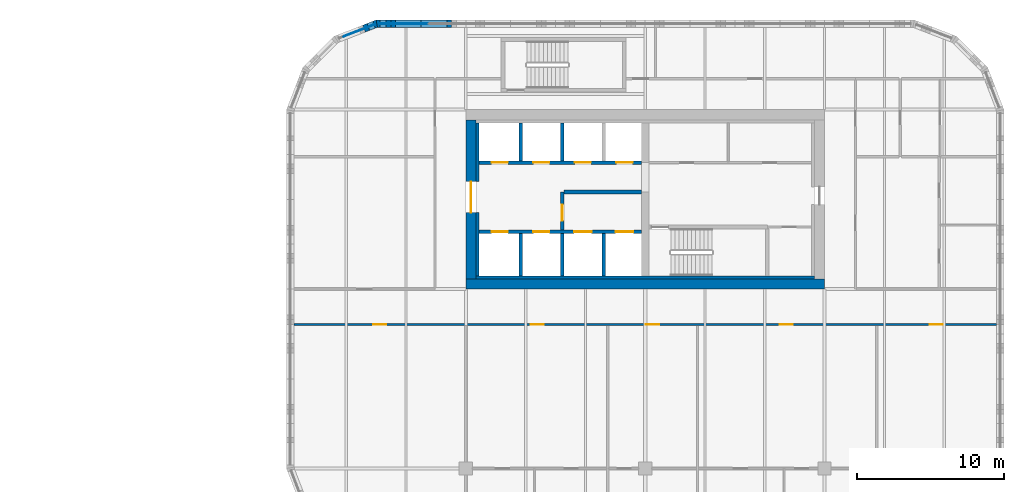
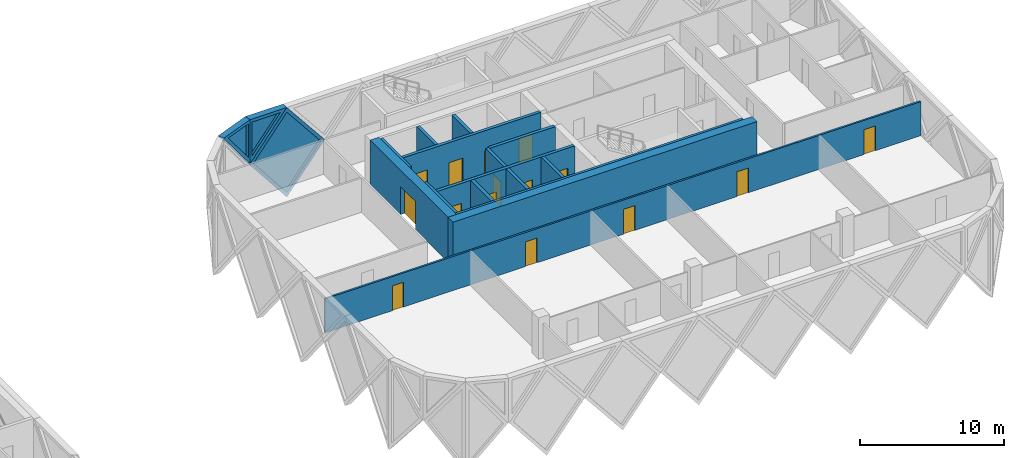
# One storey, part 17 of 24: 18 walls, 15 doors, 3 plates, 18 openings.
"""IFC4 building model written with IfcOpenShell, lengths in metres."""

from ifc_helpers import new_model, si_unit, direction, frame, frame_2d, origin, place, context, subcontext, project, spatial, polyline, rectangle, outline, extrude, faceted_brep, source, transform, mapped, material, layer, layer_set, type_object, element, fill, save


model = new_model("IFC4")

# Units and contexts
model_context = context("Model", 3, precision=1e-05, world=origin(), true_north=direction((0.0, 1.0)))
body_context = subcontext(model_context, "Body", "Model", "MODEL_VIEW")
ifc_project = project(units=[si_unit("LENGTHUNIT", "METRE"), si_unit("AREAUNIT", "SQUARE_METRE"), si_unit("VOLUMEUNIT", "CUBIC_METRE"), si_unit("PLANEANGLEUNIT", "RADIAN"), si_unit("MASSUNIT", "GRAM", prefix="KILO")], contexts=[model_context])

# Site, building, storey
site_placement = place(None, origin())
site = spatial("IfcSite", under=ifc_project, at=site_placement, CompositionType="ELEMENT")
building_placement = place(site_placement, origin())
building = spatial("IfcBuilding", under=site, at=building_placement, Name="Tessera Gate Towers", CompositionType="ELEMENT")
storey_placement = place(building_placement, frame((0.0, 0.0, 60.0)))
storey = spatial("IfcBuildingStorey", under=building, at=storey_placement, Name="L14", CompositionType="ELEMENT", Elevation=60.0)

# Wall, openings, doors
ifc_material_1 = material(Name="Concrete C40/50", Category="concrete")
ifc_layer_1 = layer(ifc_material_1, 0.25)
ifc_layer_set_1 = layer_set([ifc_layer_1], Name="CORE ENCLOSURE WALL 250")
wall_type_1 = type_object("IfcWallType", Name="CORE ENCLOSURE WALL 250", PredefinedType="SOLIDWALL", material=ifc_layer_set_1)
wall_1_placement = place(storey_placement, frame((98.5, 40.5, 0.0), z_axis=(0.0, 0.0, 1.0), x_axis=(1.0, 0.0, 0.0)))
wall_1 = element("IfcWall", 1, at=wall_1_placement, inside=storey, type_object=wall_type_1, Name="L14 shaft and stair enclosure wall", PredefinedType="SOLIDWALL", context=body_context, shape_type="SweptSolid", body=[
    extrude(rectangle(XDim=11.050048828125, YDim=0.25, at=frame_2d((5.52490234375, 0.0))), origin(), (0.0, 0.0, 1.0), 3.800048828125),
])
shared_shape_1 = source(origin(), body_context, "Body", "SweptSolid", [
    extrude(rectangle(XDim=1.10009765625, YDim=2.10009765625, at=frame_2d((0.550048828125, 1.050048828125))), frame((0.0, 0.135009765625, 0.0), z_axis=(0.0, -1.0, 0.0), x_axis=(1.0, 0.0, 0.0)), (0.0, 0.0, 1.0), 0.27001953125),
])
opening_1_placement = place(wall_1_placement, frame((0.862548828125, 0.0, 0.0)))
opening_1 = element("IfcOpeningElement", 2, at=opening_1_placement, cuts=wall_1, Name="Opening LD-TL1", PredefinedType="OPENING", context=body_context, shape_type="MappedRepresentation", body=[
    mapped(shared_shape_1, transform((0.0, 0.0, 0.0), scale=1.0)),
])
opening_2_placement = place(wall_1_placement, frame((3.6875, 0.0, 0.0)))
opening_2 = element("IfcOpeningElement", 3, at=opening_2_placement, cuts=wall_1, Name="Opening LD-TL2", PredefinedType="OPENING", context=body_context, shape_type="MappedRepresentation", body=[
    mapped(shared_shape_1, transform((0.0, 0.0, 0.0), scale=1.0)),
])
shared_shape_2 = source(origin(), body_context, "Body", "SweptSolid", [
    extrude(rectangle(XDim=1.199951171875, YDim=2.10009765625, at=frame_2d((0.60009765625, 1.050048828125))), frame((0.0, 0.135009765625, 0.0), z_axis=(0.0, -1.0, 0.0), x_axis=(1.0, 0.0, 0.0)), (0.0, 0.0, 1.0), 0.27001953125),
])
opening_3_placement = place(wall_1_placement, frame((6.46240234375, 0.0, 0.0)))
opening_3 = element("IfcOpeningElement", 4, at=opening_3_placement, cuts=wall_1, Name="Opening LD-FF3", PredefinedType="OPENING", context=body_context, shape_type="MappedRepresentation", body=[
    mapped(shared_shape_2, transform((0.0, 0.0, 0.0), scale=1.0)),
])
opening_4_placement = place(wall_1_placement, frame((9.28759765625, 0.0, 0.0)))
opening_4 = element("IfcOpeningElement", 5, at=opening_4_placement, cuts=wall_1, Name="Opening LD-FF4", PredefinedType="OPENING", context=body_context, shape_type="MappedRepresentation", body=[
    mapped(shared_shape_2, transform((0.0, 0.0, 0.0), scale=1.0)),
])
ifc_material_2 = material(Name="Stainless steel", Category="steel")
door_type_1 = type_object("IfcDoorType", Name="CORE DOOR LD1200 1200x2100", OperationType="DOUBLE_DOOR_SLIDING", PredefinedType="DOOR", material=ifc_material_2)
shared_shape_3 = source(origin(), body_context, "Body", "SweptSolid", [
    extrude(rectangle(XDim=1.199951171875, YDim=2.10009765625, at=frame_2d((0.60009765625, 1.050048828125))), frame((0.0, 0.02490234375, 0.0), z_axis=(0.0, -1.0, 0.0), x_axis=(1.0, 0.0, 0.0)), (0.0, 0.0, 1.0), 0.050048828125),
])
door_1_placement = place(opening_3_placement, origin())
door_1 = element("IfcDoor", 6, at=door_1_placement, inside=storey, type_object=door_type_1, Name="Landing door FF3 L14", OperationType="DOUBLE_DOOR_SLIDING", OverallHeight=2.10009765625, OverallWidth=1.199951171875, PredefinedType="DOOR", context=body_context, shape_type="MappedRepresentation", body=[
    mapped(shared_shape_3, transform((0.0, 0.0, 0.0), scale=1.0)),
])
fill(opening_3, door_1)
door_2_placement = place(opening_4_placement, origin())
door_2 = element("IfcDoor", 7, at=door_2_placement, inside=storey, type_object=door_type_1, Name="Landing door FF4 L14", OperationType="DOUBLE_DOOR_SLIDING", OverallHeight=2.10009765625, OverallWidth=1.199951171875, PredefinedType="DOOR", context=body_context, shape_type="MappedRepresentation", body=[
    mapped(shared_shape_3, transform((0.0, 0.0, 0.0), scale=1.0)),
])
fill(opening_4, door_2)
ifc_material_3 = material(Name="Stainless steel", Category="steel")
door_type_2 = type_object("IfcDoorType", Name="CORE DOOR LD 1100x2100", OperationType="DOUBLE_DOOR_SLIDING", PredefinedType="DOOR", material=ifc_material_3)
shared_shape_4 = source(origin(), body_context, "Body", "SweptSolid", [
    extrude(rectangle(XDim=1.10009765625, YDim=2.10009765625, at=frame_2d((0.550048828125, 1.050048828125))), frame((0.0, 0.02490234375, 0.0), z_axis=(0.0, -1.0, 0.0), x_axis=(1.0, 0.0, 0.0)), (0.0, 0.0, 1.0), 0.050048828125),
])
door_3_placement = place(opening_1_placement, origin())
door_3 = element("IfcDoor", 8, at=door_3_placement, inside=storey, type_object=door_type_2, Name="Landing door TL1 L14", OperationType="DOUBLE_DOOR_SLIDING", OverallHeight=2.10009765625, OverallWidth=1.10009765625, PredefinedType="DOOR", context=body_context, shape_type="MappedRepresentation", body=[
    mapped(shared_shape_4, transform((0.0, 0.0, 0.0), scale=1.0)),
])
fill(opening_1, door_3)
door_4_placement = place(opening_2_placement, origin())
door_4 = element("IfcDoor", 9, at=door_4_placement, inside=storey, type_object=door_type_2, Name="Landing door TL2 L14", OperationType="DOUBLE_DOOR_SLIDING", OverallHeight=2.10009765625, OverallWidth=1.10009765625, PredefinedType="DOOR", context=body_context, shape_type="MappedRepresentation", body=[
    mapped(shared_shape_4, transform((0.0, 0.0, 0.0), scale=1.0)),
])
fill(opening_2, door_4)

wall_2_placement = place(storey_placement, frame((109.550048828125, 45.199951171875, 0.0), z_axis=(0.0, 0.0, 1.0), x_axis=(-1.0, 0.0, 0.0)))
wall_2 = element("IfcWall", 10, at=wall_2_placement, inside=storey, type_object=wall_type_1, Name="L14 shaft and stair enclosure wall", PredefinedType="SOLIDWALL", context=body_context, shape_type="SweptSolid", body=[
    extrude(rectangle(XDim=11.050048828125, YDim=0.25, at=frame_2d((5.52490234375, 0.0))), origin(), (0.0, 0.0, 1.0), 3.800048828125),
])
opening_5_placement = place(wall_2_placement, frame((9.08740234375, 0.0, 0.0)))
opening_5 = element("IfcOpeningElement", 11, at=opening_5_placement, cuts=wall_2, Name="Opening LD-TL3", PredefinedType="OPENING", context=body_context, shape_type="MappedRepresentation", body=[
    mapped(shared_shape_1, transform((0.0, 0.0, 0.0), scale=1.0)),
])
opening_6_placement = place(wall_2_placement, frame((6.262451171875, 0.0, 0.0)))
opening_6 = element("IfcOpeningElement", 12, at=opening_6_placement, cuts=wall_2, Name="Opening LD-TL4", PredefinedType="OPENING", context=body_context, shape_type="MappedRepresentation", body=[
    mapped(shared_shape_1, transform((0.0, 0.0, 0.0), scale=1.0)),
])
opening_7_placement = place(wall_2_placement, frame((3.4375, 0.0, 0.0)))
opening_7 = element("IfcOpeningElement", 13, at=opening_7_placement, cuts=wall_2, Name="Opening LD-TL5", PredefinedType="OPENING", context=body_context, shape_type="MappedRepresentation", body=[
    mapped(shared_shape_1, transform((0.0, 0.0, 0.0), scale=1.0)),
])
opening_8_placement = place(wall_2_placement, frame((0.612548828125, 0.0, 0.0)))
opening_8 = element("IfcOpeningElement", 14, at=opening_8_placement, cuts=wall_2, Name="Opening LD-TL6", PredefinedType="OPENING", context=body_context, shape_type="MappedRepresentation", body=[
    mapped(shared_shape_1, transform((0.0, 0.0, 0.0), scale=1.0)),
])
door_5_placement = place(opening_5_placement, origin())
door_5 = element("IfcDoor", 15, at=door_5_placement, inside=storey, type_object=door_type_2, Name="Landing door TL3 L14", OperationType="DOUBLE_DOOR_SLIDING", OverallHeight=2.10009765625, OverallWidth=1.10009765625, PredefinedType="DOOR", context=body_context, shape_type="MappedRepresentation", body=[
    mapped(shared_shape_4, transform((0.0, 0.0, 0.0), scale=1.0)),
])
fill(opening_5, door_5)
door_6_placement = place(opening_6_placement, origin())
door_6 = element("IfcDoor", 16, at=door_6_placement, inside=storey, type_object=door_type_2, Name="Landing door TL4 L14", OperationType="DOUBLE_DOOR_SLIDING", OverallHeight=2.10009765625, OverallWidth=1.10009765625, PredefinedType="DOOR", context=body_context, shape_type="MappedRepresentation", body=[
    mapped(shared_shape_4, transform((0.0, 0.0, 0.0), scale=1.0)),
])
fill(opening_6, door_6)
door_7_placement = place(opening_7_placement, origin())
door_7 = element("IfcDoor", 17, at=door_7_placement, inside=storey, type_object=door_type_2, Name="Landing door TL5 L14", OperationType="DOUBLE_DOOR_SLIDING", OverallHeight=2.10009765625, OverallWidth=1.10009765625, PredefinedType="DOOR", context=body_context, shape_type="MappedRepresentation", body=[
    mapped(shared_shape_4, transform((0.0, 0.0, 0.0), scale=1.0)),
])
fill(opening_7, door_7)
door_8_placement = place(opening_8_placement, origin())
door_8 = element("IfcDoor", 18, at=door_8_placement, inside=storey, type_object=door_type_2, Name="Landing door TL6 L14", OperationType="DOUBLE_DOOR_SLIDING", OverallHeight=2.10009765625, OverallWidth=1.10009765625, PredefinedType="DOOR", context=body_context, shape_type="MappedRepresentation", body=[
    mapped(shared_shape_4, transform((0.0, 0.0, 0.0), scale=1.0)),
])
fill(opening_8, door_8)

# Wall
wall_3_placement = place(storey_placement, frame((104.14990234375, 37.5, 0.0), z_axis=(0.0, 0.0, 1.0), x_axis=(0.0, 1.0, 0.0)))
element("IfcWall", 19, at=wall_3_placement, inside=storey, type_object=wall_type_1, Name="L14 shaft and stair enclosure wall", PredefinedType="SOLIDWALL", context=body_context, shape_type="SweptSolid", body=[
    extrude(rectangle(XDim=2.875, YDim=0.25, at=frame_2d((1.4375, 0.0))), origin(), (0.0, 0.0, 1.0), 3.800048828125),
])

# Wall, opening, door
wall_4_placement = place(storey_placement, frame((104.14990234375, 43.199951171875, 0.0), z_axis=(0.0, 0.0, 1.0), x_axis=(0.0, -1.0, 0.0)))
wall_4 = element("IfcWall", 20, at=wall_4_placement, inside=storey, type_object=wall_type_1, Name="L14 shaft and stair enclosure wall", PredefinedType="SOLIDWALL", context=body_context, shape_type="SweptSolid", body=[
    extrude(rectangle(XDim=2.574951171875, YDim=0.25, at=frame_2d((1.28759765625, 0.0))), origin(), (0.0, 0.0, 1.0), 3.800048828125),
])
opening_9_placement = place(wall_4_placement, frame((0.85009765625, 0.0, 0.0)))
opening_9 = element("IfcOpeningElement", 21, at=opening_9_placement, cuts=wall_4, Name="Opening FD-T2-04-03", PredefinedType="OPENING", context=body_context, shape_type="MappedRepresentation", body=[
    mapped(shared_shape_1, transform((0.0, 0.0, 0.0), scale=1.0)),
])
ifc_material_4 = material(Name="Hollow steel fire door", Category="steel")
door_type_3 = type_object("IfcDoorType", Name="CORE DOOR FD 1100x2100", OperationType="NOTDEFINED", PredefinedType="DOOR", material=ifc_material_4)
door_9_placement = place(opening_9_placement, origin())
door_9 = element("IfcDoor", 22, at=door_9_placement, inside=storey, type_object=door_type_3, Name="Fire-fighting lobby door", OperationType="SINGLE_SWING_RIGHT", OverallHeight=2.10009765625, OverallWidth=1.10009765625, PredefinedType="DOOR", context=body_context, shape_type="MappedRepresentation", body=[
    mapped(shared_shape_4, transform((0.0, 0.0, 0.0), scale=1.0)),
])
fill(opening_9, door_9)

# Walls
wall_5_placement = place(storey_placement, frame((104.27490234375, 43.199951171875, 0.0), z_axis=(0.0, 0.0, 1.0), x_axis=(1.0, 0.0, 0.0)))
element("IfcWall", 23, at=wall_5_placement, inside=storey, type_object=wall_type_1, Name="L14 shaft and stair enclosure wall", PredefinedType="SOLIDWALL", context=body_context, shape_type="SweptSolid", body=[
    extrude(rectangle(XDim=5.275146484375, YDim=0.25, at=frame_2d((2.6376953125, 0.0))), origin(), (0.0, 0.0, 1.0), 3.800048828125),
])
for number, where, z_axis, x_axis, name in (
    (24, (101.324951171875, 37.5, 0.0), (0.0, 0.0, 1.0), (0.0, 1.0, 0.0), "L14 shaft and stair enclosure wall"),
    (25, (106.97509765625, 37.5, 0.0), (0.0, 0.0, 1.0), (0.0, 1.0, 0.0), "L14 shaft and stair enclosure wall"),
):
    element("IfcWall", number, at=place(storey_placement, frame(where, z_axis=z_axis, x_axis=x_axis)), inside=storey, type_object=wall_type_1, Name=name, PredefinedType="SOLIDWALL", context=body_context, shape_type="SweptSolid", body=[
        extrude(rectangle(XDim=2.875, YDim=0.25, at=frame_2d((1.4375, 0.0))), origin(), (0.0, 0.0, 1.0), 3.800048828125),
    ])
for number, where, z_axis, x_axis, name in (
    (26, (101.324951171875, 45.324951171875, 0.0), (0.0, 0.0, 1.0), (0.0, 1.0, 0.0), "L14 shaft and stair enclosure wall"),
    (27, (104.14990234375, 45.324951171875, 0.0), (0.0, 0.0, 1.0), (0.0, 1.0, 0.0), "L14 shaft and stair enclosure wall"),
):
    element("IfcWall", number, at=place(storey_placement, frame(where, z_axis=z_axis, x_axis=x_axis)), inside=storey, type_object=wall_type_1, Name=name, PredefinedType="SOLIDWALL", context=body_context, shape_type="SweptSolid", body=[
        extrude(rectangle(XDim=2.574951171875, YDim=0.25, at=frame_2d((1.28759765625, 0.0))), origin(), (0.0, 0.0, 1.0), 3.800048828125),
    ])
ifc_material_5 = material(Name="Concrete C60/75", Category="concrete")
ifc_layer_2 = layer(ifc_material_5, 0.699951171875)
ifc_layer_set_2 = layer_set([ifc_layer_2], Name="CORE SHEAR WALL 700 C60/75")
wall_type_2 = type_object("IfcWallType", Name="CORE SHEAR WALL 700 C60/75", PredefinedType="SHEAR", material=ifc_layer_set_2)
wall_6_placement = place(storey_placement, frame((122.0, 36.949951171875, 0.0), z_axis=(0.0, 0.0, 1.0), x_axis=(-1.0, 0.0, 0.0)))
element("IfcWall", 28, at=wall_6_placement, inside=storey, type_object=wall_type_2, Name="Core wall S L14", PredefinedType="SHEAR", context=body_context, shape_type="SweptSolid", body=[
    extrude(rectangle(XDim=24.39990234375, YDim=0.699951171875, at=frame_2d((12.199951171875, 0.0))), origin(), (0.0, 0.0, 1.0), 3.800048828125),
])

# Wall, opening, door
wall_7_placement = place(storey_placement, frame((97.949951171875, 37.300048828125, 0.0), z_axis=(0.0, 0.0, 1.0), x_axis=(0.0, 1.0, 0.0)))
wall_7 = element("IfcWall", 29, at=wall_7_placement, inside=storey, type_object=wall_type_2, Name="Core wall W L14", PredefinedType="SHEAR", context=body_context, shape_type="SweptSolid", body=[
    extrude(rectangle(XDim=10.800048828125, YDim=0.699951171875, at=frame_2d((5.39990234375, 0.0))), origin(), (0.0, 0.0, 1.0), 3.800048828125),
])
shared_shape_5 = source(origin(), body_context, "Body", "SweptSolid", [
    extrude(rectangle(XDim=2.10009765625, YDim=2.39990234375, at=frame_2d((1.050048828125, 1.199951171875))), frame((0.0, 0.35986328125, 0.0), z_axis=(0.0, -1.0, 0.0), x_axis=(1.0, 0.0, 0.0)), (0.0, 0.0, 1.0), 0.719970703125),
])
opening_10_placement = place(wall_7_placement, frame((4.5, 0.0, 0.0)))
opening_10 = element("IfcOpeningElement", 30, at=opening_10_placement, cuts=wall_7, Name="Opening DD-T2-04-01", PredefinedType="OPENING", context=body_context, shape_type="MappedRepresentation", body=[
    mapped(shared_shape_5, transform((0.0, 0.0, 0.0), scale=1.0)),
])
ifc_material_6 = material(Name="Hollow steel fire door", Category="steel")
door_type_4 = type_object("IfcDoorType", Name="CORE DOOR DD 2100x2400", OperationType="NOTDEFINED", PredefinedType="DOOR", material=ifc_material_6)
shared_shape_6 = source(origin(), body_context, "Body", "SweptSolid", [
    extrude(rectangle(XDim=2.10009765625, YDim=2.39990234375, at=frame_2d((1.050048828125, 1.199951171875))), frame((0.0, 0.02490234375, 0.0), z_axis=(0.0, -1.0, 0.0), x_axis=(1.0, 0.0, 0.0)), (0.0, 0.0, 1.0), 0.050048828125),
])
door_10_placement = place(opening_10_placement, origin())
door_10 = element("IfcDoor", 31, at=door_10_placement, inside=storey, type_object=door_type_4, Name="Core entrance door", OperationType="DOUBLE_DOOR_SINGLE_SWING", OverallHeight=2.39990234375, OverallWidth=2.10009765625, PredefinedType="DOOR", context=body_context, shape_type="MappedRepresentation", body=[
    mapped(shared_shape_6, transform((0.0, 0.0, 0.0), scale=1.0)),
])
fill(opening_10, door_10)

# Walls
ifc_material_7 = material(Name="Concrete C60/75", Category="concrete")
ifc_layer_3 = layer(ifc_material_7, 0.199951171875)
ifc_layer_set_3 = layer_set([ifc_layer_3], Name="CORE WALL THICKENING 200")
wall_type_3 = type_object("IfcWallType", Name="CORE WALL THICKENING 200", PredefinedType="SOLIDWALL", material=ifc_layer_set_3)
wall_8_placement = place(storey_placement, frame((98.300048828125, 37.39990234375, 0.0), z_axis=(0.0, 0.0, 1.0), x_axis=(1.0, 0.0, 0.0)))
element("IfcWall", 32, at=wall_8_placement, inside=storey, type_object=wall_type_3, Name="Core wall thickening S L14", PredefinedType="SOLIDWALL", context=body_context, shape_type="SweptSolid", body=[
    extrude(rectangle(XDim=23.0, YDim=0.199951171875, at=frame_2d((11.5, 0.0))), origin(), (0.0, 0.0, 1.0), 3.800048828125),
])
wall_9_placement = place(storey_placement, frame((98.39990234375, 37.5, 0.0), z_axis=(0.0, 0.0, 1.0), x_axis=(0.0, 1.0, 0.0)))
element("IfcWall", 33, at=wall_9_placement, inside=storey, type_object=wall_type_3, Name="Core wall thickening W L14", PredefinedType="SOLIDWALL", context=body_context, shape_type="SweptSolid", body=[
    extrude(rectangle(XDim=4.300048828125, YDim=0.199951171875, at=frame_2d((2.14990234375, 0.0))), origin(), (0.0, 0.0, 1.0), 3.800048828125),
])
wall_10_placement = place(storey_placement, frame((98.39990234375, 43.89990234375, 0.0), z_axis=(0.0, 0.0, 1.0), x_axis=(0.0, 1.0, 0.0)))
element("IfcWall", 34, at=wall_10_placement, inside=storey, type_object=wall_type_3, Name="Core wall thickening W L14", PredefinedType="SOLIDWALL", context=body_context, shape_type="SweptSolid", body=[
    extrude(rectangle(XDim=4.0, YDim=0.199951171875, at=frame_2d((2.0, 0.0))), origin(), (0.0, 0.0, 1.0), 3.800048828125),
])

# Wall, openings, doors
ifc_material_8 = material(Name="Gypsum board on steel studs, mineral wool", Category="steel")
ifc_layer_4 = layer(ifc_material_8, 0.14990234375)
ifc_layer_set_4 = layer_set([ifc_layer_4], Name="CORRIDOR WALL 150")
wall_type_4 = type_object("IfcWallType", Name="CORRIDOR WALL 150", PredefinedType="PARTITIONING", material=ifc_layer_set_4)
wall_11_placement = place(storey_placement, frame((133.699951171875, 34.199951171875, 0.0), z_axis=(0.0, 0.0, 1.0), x_axis=(-1.0, 0.0, 0.0)))
wall_11 = element("IfcWall", 35, at=wall_11_placement, inside=storey, type_object=wall_type_4, Name="T2-L14-PW-017", PredefinedType="PARTITIONING", context=body_context, shape_type="SweptSolid", body=[
    extrude(rectangle(XDim=47.800048828125, YDim=0.14990234375, at=frame_2d((23.89990234375, 0.0))), origin(), (0.0, 0.0, 1.0), 2.887939453125),
])
shared_shape_7 = source(origin(), body_context, "Body", "SweptSolid", [
    extrude(rectangle(XDim=0.89990234375, YDim=2.10009765625, at=frame_2d((0.449951171875, 1.050048828125))), frame((0.0, 0.0849609375, 0.0), z_axis=(0.0, -1.0, 0.0), x_axis=(1.0, 0.0, 0.0)), (0.0, 0.0, 1.0), 0.169921875),
])
opening_11_placement = place(wall_11_placement, frame((22.948974609375, 0.0, 0.0)))
opening_11 = element("IfcOpeningElement", 36, at=opening_11_placement, cuts=wall_11, Name="Opening D890FD60-B06-01", PredefinedType="OPENING", context=body_context, shape_type="MappedRepresentation", body=[
    mapped(shared_shape_7, transform((0.0, 0.0, 0.0), scale=1.0)),
])
opening_12_placement = place(wall_11_placement, frame((3.64892578125, 0.0, 0.0)))
opening_12 = element("IfcOpeningElement", 37, at=opening_12_placement, cuts=wall_11, Name="Opening D890FD60-B06-02", PredefinedType="OPENING", context=body_context, shape_type="MappedRepresentation", body=[
    mapped(shared_shape_7, transform((0.0, 0.0, 0.0), scale=1.0)),
])
opening_13_placement = place(wall_11_placement, frame((30.799072265625, 0.0, 0.0)))
opening_13 = element("IfcOpeningElement", 38, at=opening_13_placement, cuts=wall_11, Name="Opening D890FD60-B06-03", PredefinedType="OPENING", context=body_context, shape_type="MappedRepresentation", body=[
    mapped(shared_shape_7, transform((0.0, 0.0, 0.0), scale=1.0)),
])
opening_14_placement = place(wall_11_placement, frame((41.5, 0.0, 0.0)))
opening_14 = element("IfcOpeningElement", 39, at=opening_14_placement, cuts=wall_11, Name="Opening D890FD60-B06-04", PredefinedType="OPENING", context=body_context, shape_type="MappedRepresentation", body=[
    mapped(shared_shape_7, transform((0.0, 0.0, 0.0), scale=1.0)),
])
opening_15_placement = place(wall_11_placement, frame((13.85009765625, 0.0, 0.0)))
opening_15 = element("IfcOpeningElement", 40, at=opening_15_placement, cuts=wall_11, Name="Opening D890FD60-B06-05", PredefinedType="OPENING", context=body_context, shape_type="MappedRepresentation", body=[
    mapped(shared_shape_7, transform((0.0, 0.0, 0.0), scale=1.0)),
])
ifc_material_9 = material(Name="Timber door leaf in steel frame", Category="steel")
door_type_5 = type_object("IfcDoorType", Name="CORRIDOR DOOR 900 FD60", OperationType="NOTDEFINED", PredefinedType="DOOR", material=ifc_material_9)
shared_shape_8 = source(origin(), body_context, "Body", "SweptSolid", [
    extrude(rectangle(XDim=0.89990234375, YDim=2.10009765625, at=frame_2d((0.449951171875, 1.050048828125))), frame((0.0, 0.02490234375, 0.0), z_axis=(0.0, -1.0, 0.0), x_axis=(1.0, 0.0, 0.0)), (0.0, 0.0, 1.0), 0.050048828125),
])
door_11_placement = place(opening_11_placement, origin())
door_11 = element("IfcDoor", 41, at=door_11_placement, inside=storey, type_object=door_type_5, Name="T2-L14-PD-012", OperationType="SINGLE_SWING_RIGHT", OverallHeight=2.10009765625, OverallWidth=0.89990234375, PredefinedType="DOOR", context=body_context, shape_type="MappedRepresentation", body=[
    mapped(shared_shape_8, transform((0.0, 0.0, 0.0), scale=1.0)),
])
fill(opening_11, door_11)
door_12_placement = place(opening_12_placement, origin())
door_12 = element("IfcDoor", 42, at=door_12_placement, inside=storey, type_object=door_type_5, Name="T2-L14-PD-015", OperationType="SINGLE_SWING_RIGHT", OverallHeight=2.10009765625, OverallWidth=0.89990234375, PredefinedType="DOOR", context=body_context, shape_type="MappedRepresentation", body=[
    mapped(shared_shape_8, transform((0.0, 0.0, 0.0), scale=1.0)),
])
fill(opening_12, door_12)
door_13_placement = place(opening_13_placement, origin())
door_13 = element("IfcDoor", 43, at=door_13_placement, inside=storey, type_object=door_type_5, Name="T2-L14-PD-016", OperationType="SINGLE_SWING_RIGHT", OverallHeight=2.10009765625, OverallWidth=0.89990234375, PredefinedType="DOOR", context=body_context, shape_type="MappedRepresentation", body=[
    mapped(shared_shape_8, transform((0.0, 0.0, 0.0), scale=1.0)),
])
fill(opening_13, door_13)
door_14_placement = place(opening_14_placement, origin())
door_14 = element("IfcDoor", 44, at=door_14_placement, inside=storey, type_object=door_type_5, Name="T2-L14-PD-017", OperationType="SINGLE_SWING_RIGHT", OverallHeight=2.10009765625, OverallWidth=0.89990234375, PredefinedType="DOOR", context=body_context, shape_type="MappedRepresentation", body=[
    mapped(shared_shape_8, transform((0.0, 0.0, 0.0), scale=1.0)),
])
fill(opening_14, door_14)
door_15_placement = place(opening_15_placement, origin())
door_15 = element("IfcDoor", 45, at=door_15_placement, inside=storey, type_object=door_type_5, Name="T2-L14-PD-018", OperationType="SINGLE_SWING_RIGHT", OverallHeight=2.10009765625, OverallWidth=0.89990234375, PredefinedType="DOOR", context=body_context, shape_type="MappedRepresentation", body=[
    mapped(shared_shape_8, transform((0.0, 0.0, 0.0), scale=1.0)),
])
fill(opening_15, door_15)

# Wall, opening, plate
ifc_material_10 = material(Name="Precast concrete C60/75 white", Category="concrete")
ifc_layer_5 = layer(ifc_material_10, 0.5)
ifc_layer_set_5 = layer_set([ifc_layer_5], Name="TS1 tessera")
wall_type_5 = type_object("IfcWallType", Name="TS1 tessera", PredefinedType="SOLIDWALL", material=ifc_layer_set_5)
shared_shape_9 = source(origin(), body_context, "Body", "Brep", [
    faceted_brep([(3.050048828125, -0.25, 0.0), (6.053466796875, -0.25, 3.800048828125), (3.050048828125, -0.25, 7.60009765625), (0.0, -0.25, 3.800048828125), (0.0, 0.25, 3.800048828125), (3.050048828125, 0.25, 7.60009765625), (6.0068359375, 0.25, 3.85888671875), (6.0068359375, 0.25, 3.7412109375), (3.050048828125, 0.25, 0.0), (6.053466796875, 0.0, 3.800048828125)], [[[0, 1, 2, 3]], [[4, 5, 6, 7, 8]], [[8, 7, 9, 1, 0]], [[6, 5, 2, 1, 9]], [[5, 4, 3, 2]], [[4, 8, 0, 3]], [[9, 7, 6]]]),
])
wall_12_placement = place(storey_placement, frame((97.60009765625, 54.64990234375, -3.800048828125), z_axis=(0.0, 0.0, 1.0), x_axis=(-1.0, 0.0, 0.0)))
wall_12 = element("IfcWall", 46, at=wall_12_placement, inside=storey, type_object=wall_type_5, Name="Precast tessera T2 TS1-0176", PredefinedType="SOLIDWALL", context=body_context, shape_type="MappedRepresentation", body=[
    mapped(shared_shape_9, transform((0.0, 0.0, 0.0), scale=1.0)),
])
shared_shape_10 = source(origin(), body_context, "Body", "SweptSolid", [
    extrude(outline(polyline([(3.048583984375, 0.4013671875), (5.73486328125, 3.800048828125), (3.048583984375, 7.19873046875), (0.320556640625, 3.800048828125), (3.048583984375, 0.4013671875)])), frame((0.0, 0.260009765625, 0.0), z_axis=(0.0, -1.0, 0.0), x_axis=(1.0, 0.0, 0.0)), (0.0, 0.0, 1.0), 0.52001953125),
])
opening_16_placement = place(wall_12_placement, origin())
opening_16 = element("IfcOpeningElement", 47, at=opening_16_placement, cuts=wall_12, Name="Opening T2-PL2-0328", PredefinedType="OPENING", context=body_context, shape_type="MappedRepresentation", body=[
    mapped(shared_shape_10, transform((0.0, 0.0, 0.0), scale=1.0)),
])
ifc_material_11 = material(Name="Low-e laminated glass", Category="glass")
ifc_layer_6 = layer(ifc_material_11, 0.06005859375)
ifc_layer_set_6 = layer_set([ifc_layer_6], Name="PL2 rhombic pane")
plate_type_1 = type_object("IfcPlateType", Name="PL2 rhombic pane", PredefinedType="SHEET", material=ifc_layer_set_6)
shared_shape_11 = source(origin(), body_context, "Body", "SweptSolid", [
    extrude(outline(polyline([(3.048583984375, 0.4013671875), (5.73486328125, 3.800048828125), (3.048583984375, 7.19873046875), (0.320556640625, 3.800048828125), (3.048583984375, 0.4013671875)])), frame((0.0, 0.030029296875, 0.0), z_axis=(0.0, -1.0, 0.0), x_axis=(1.0, 0.0, 0.0)), (0.0, 0.0, 1.0), 0.06005859375),
])
plate_1_placement = place(opening_16_placement, origin())
plate_1 = element("IfcPlate", 48, at=plate_1_placement, inside=storey, type_object=plate_type_1, Name="Glass pane T2 PL2-0328", PredefinedType="SHEET", context=body_context, shape_type="MappedRepresentation", body=[
    mapped(shared_shape_11, transform((0.0, 0.0, 0.0), scale=1.0)),
])
fill(opening_16, plate_1)

ifc_material_12 = material(Name="Precast concrete C60/75 white", Category="concrete")
ifc_layer_7 = layer(ifc_material_12, 0.5)
ifc_layer_set_7 = layer_set([ifc_layer_7], Name="TS3 corner tessera")
wall_type_6 = type_object("IfcWallType", Name="TS3 corner tessera", PredefinedType="SOLIDWALL", material=ifc_layer_set_7)
shared_shape_12 = source(origin(), body_context, "Body", "Brep", [
    faceted_brep([(3.00341796875, -0.25, 0.0), (3.050048828125, -0.25, 0.06005859375), (3.050048828125, -0.25, 3.800048828125), (0.0, -0.25, 3.800048828125), (0.0, 0.25, 3.800048828125), (2.956787109375, 0.25, 3.800048828125), (2.956787109375, 0.25, 0.058837890625), (3.00341796875, 0.000244140625, 0.0)], [[[0, 1, 2, 3]], [[4, 5, 6]], [[1, 0, 7]], [[5, 4, 3, 2]], [[4, 6, 7, 0, 3]], [[1, 7, 6, 5, 2]]]),
])
wall_13_placement = place(storey_placement, frame((94.550048828125, 54.64990234375, 0.0), z_axis=(0.0, 0.0, 1.0), x_axis=(-1.0, 0.0, 0.0)))
wall_13 = element("IfcWall", 49, at=wall_13_placement, inside=storey, type_object=wall_type_6, Name="Precast corner tessera T2 TS3-0219", PredefinedType="SOLIDWALL", context=body_context, shape_type="MappedRepresentation", body=[
    mapped(shared_shape_12, transform((0.0, 0.0, 0.0), scale=1.0)),
])
shared_shape_13 = source(origin(), body_context, "Body", "SweptSolid", [
    extrude(outline(polyline([(2.803466796875, 3.550048828125), (0.516357421875, 3.550048828125), (2.803466796875, 0.65625), (2.803466796875, 3.550048828125)])), frame((0.0, 0.260009765625, 0.0), z_axis=(0.0, -1.0, 0.0), x_axis=(1.0, 0.0, 0.0)), (0.0, 0.0, 1.0), 0.52001953125),
])
opening_17_placement = place(wall_13_placement, origin())
opening_17 = element("IfcOpeningElement", 50, at=opening_17_placement, cuts=wall_13, Name="Opening T2-PL1-0126", PredefinedType="OPENING", context=body_context, shape_type="MappedRepresentation", body=[
    mapped(shared_shape_13, transform((0.0, 0.0, 0.0), scale=1.0)),
])
ifc_material_13 = material(Name="Low-e laminated glass", Category="glass")
ifc_layer_8 = layer(ifc_material_13, 0.06005859375)
ifc_layer_set_8 = layer_set([ifc_layer_8], Name="PL1 triangular pane")
plate_type_2 = type_object("IfcPlateType", Name="PL1 triangular pane", PredefinedType="SHEET", material=ifc_layer_set_8)
shared_shape_14 = source(origin(), body_context, "Body", "SweptSolid", [
    extrude(outline(polyline([(2.803466796875, 3.550048828125), (0.516357421875, 3.550048828125), (2.803466796875, 0.65625), (2.803466796875, 3.550048828125)])), frame((0.0, 0.030029296875, 0.0), z_axis=(0.0, -1.0, 0.0), x_axis=(1.0, 0.0, 0.0)), (0.0, 0.0, 1.0), 0.06005859375),
])
plate_2_placement = place(opening_17_placement, origin())
plate_2 = element("IfcPlate", 51, at=plate_2_placement, inside=storey, type_object=plate_type_2, Name="Glass pane T2 PL1-0126", PredefinedType="SHEET", context=body_context, shape_type="MappedRepresentation", body=[
    mapped(shared_shape_14, transform((0.0, 0.0, 0.0), scale=1.0)),
])
fill(opening_17, plate_2)

shared_shape_15 = source(origin(), body_context, "Body", "Brep", [
    faceted_brep([(0.046630859375, -0.25, 0.0), (2.9970703125, -0.25, 3.800048828125), (0.0, -0.25, 3.800048828125), (0.0, -0.25, 0.058837890625), (0.09326171875, 0.25, 3.800048828125), (2.9443359375, 0.25, 3.800048828125), (2.9443359375, 0.25, 3.73193359375), (0.09326171875, 0.25, 0.06005859375), (2.9970703125, 0.00048828125, 3.800048828125), (0.046630859375, 0.0, 0.0)], [[[0, 1, 2, 3]], [[4, 5, 6, 7]], [[7, 6, 8, 1, 0, 9]], [[5, 4, 2, 1, 8]], [[9, 0, 3]], [[7, 9, 3, 2, 4]], [[6, 5, 8]]]),
])
wall_14_placement = place(storey_placement, frame((91.590087890625, 54.666748046875, 0.0), z_axis=(0.0, 0.0, 1.0), x_axis=(-0.933000876937, -0.359874094142, 0.0)))
wall_14 = element("IfcWall", 52, at=wall_14_placement, inside=storey, type_object=wall_type_6, Name="Precast corner tessera T2 TS3-0220", PredefinedType="SOLIDWALL", context=body_context, shape_type="MappedRepresentation", body=[
    mapped(shared_shape_15, transform((0.0, 0.0, 0.0), scale=1.0)),
])
shared_shape_16 = source(origin(), body_context, "Body", "SweptSolid", [
    extrude(outline(polyline([(0.24658203125, 0.665283203125), (2.486572265625, 3.550048828125), (0.24658203125, 3.550048828125), (0.24658203125, 0.665283203125)])), frame((0.0, 0.260009765625, 0.0), z_axis=(0.0, -1.0, 0.0), x_axis=(1.0, 0.0, 0.0)), (0.0, 0.0, 1.0), 0.52001953125),
])
opening_18_placement = place(wall_14_placement, origin())
opening_18 = element("IfcOpeningElement", 53, at=opening_18_placement, cuts=wall_14, Name="Opening T2-PL1-0127", PredefinedType="OPENING", context=body_context, shape_type="MappedRepresentation", body=[
    mapped(shared_shape_16, transform((0.0, 0.0, 0.0), scale=1.0)),
])
shared_shape_17 = source(origin(), body_context, "Body", "SweptSolid", [
    extrude(outline(polyline([(0.24658203125, 0.665283203125), (2.486572265625, 3.550048828125), (0.24658203125, 3.550048828125), (0.24658203125, 0.665283203125)])), frame((0.0, 0.030029296875, 0.0), z_axis=(0.0, -1.0, 0.0), x_axis=(1.0, 0.0, 0.0)), (0.0, 0.0, 1.0), 0.06005859375),
])
plate_3_placement = place(opening_18_placement, origin())
plate_3 = element("IfcPlate", 54, at=plate_3_placement, inside=storey, type_object=plate_type_2, Name="Glass pane T2 PL1-0127", PredefinedType="SHEET", context=body_context, shape_type="MappedRepresentation", body=[
    mapped(shared_shape_17, transform((0.0, 0.0, 0.0), scale=1.0)),
])
fill(opening_18, plate_3)

save(model, "model.ifc")
